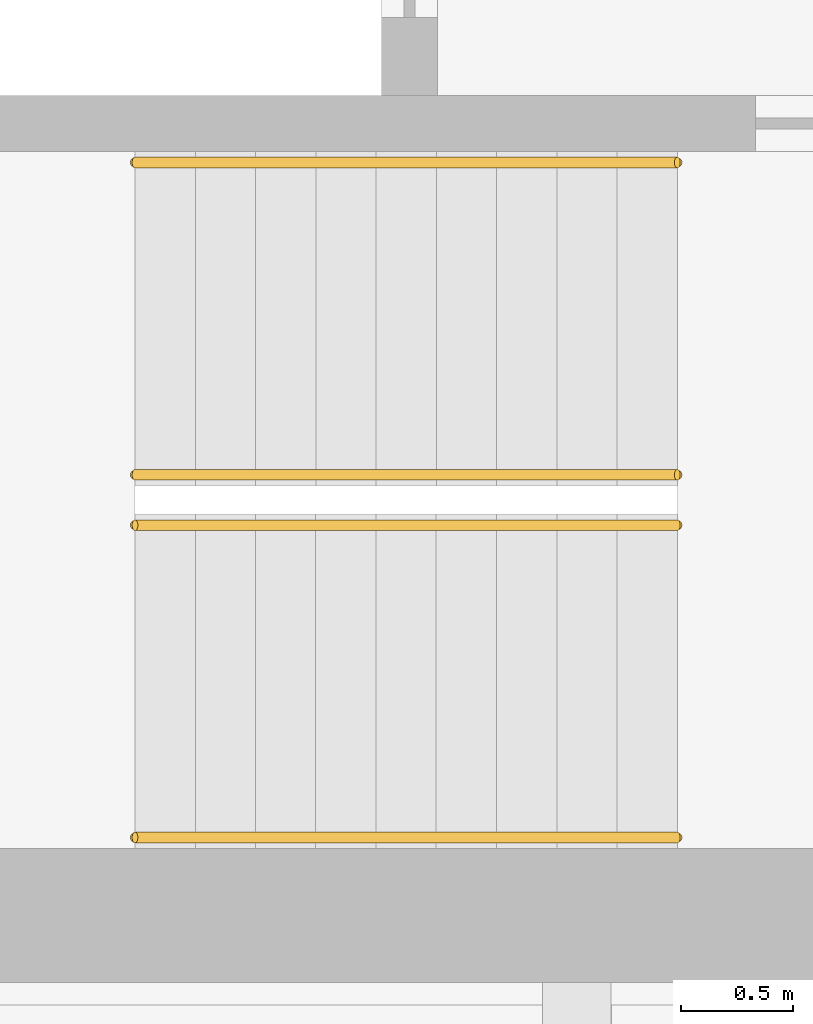
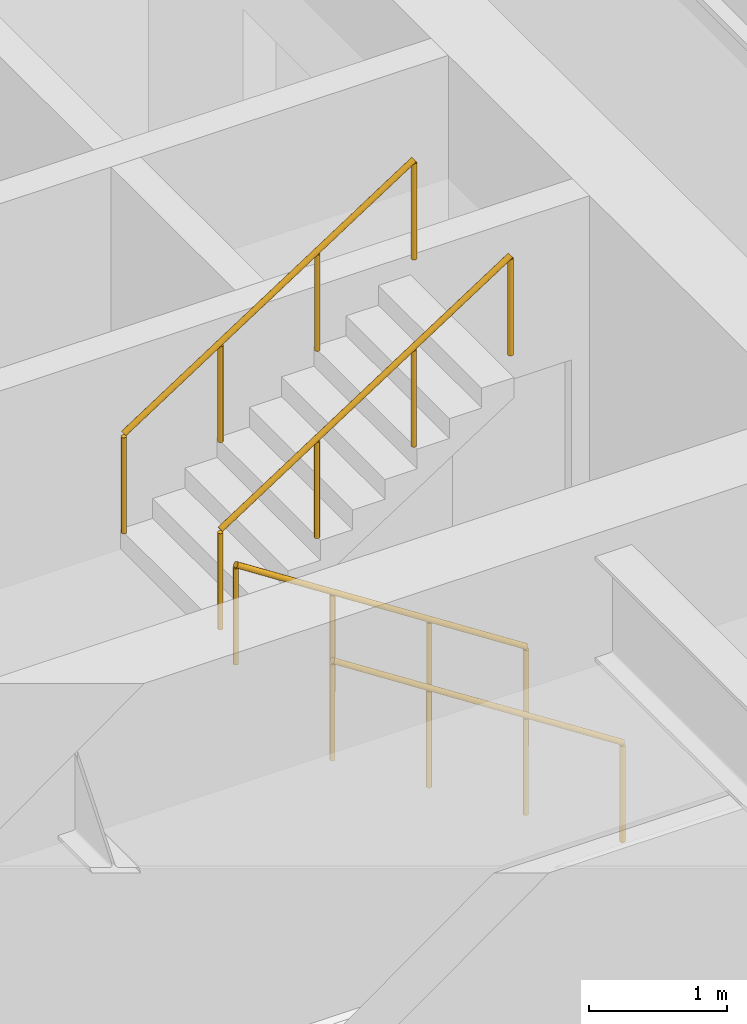
# One storey, part 17 of 21: 4 railings.
"""IFC4 building model written with IfcOpenShell, lengths in metres."""

from ifc_helpers import new_model, si_unit, direction, frame, origin, origin_2d, place, context, subcontext, project, spatial, circle, extrude, material, type_object, element, save


model = new_model("IFC4")

# Units and contexts
model_context = context("Model", 3, precision=1e-05, world=origin(), true_north=direction((0.0, 1.0)))
body_context = subcontext(model_context, "Body", "Model", "MODEL_VIEW")
ifc_project = project(units=[si_unit("LENGTHUNIT", "METRE"), si_unit("AREAUNIT", "SQUARE_METRE"), si_unit("VOLUMEUNIT", "CUBIC_METRE"), si_unit("PLANEANGLEUNIT", "RADIAN"), si_unit("MASSUNIT", "GRAM", prefix="KILO")], contexts=[model_context])

# Site, building, storey
site_placement = place(None, origin())
site = spatial("IfcSite", under=ifc_project, at=site_placement, CompositionType="ELEMENT")
building_placement = place(site_placement, origin())
building = spatial("IfcBuilding", under=site, at=building_placement, Name="Msasa Ring Tower", CompositionType="ELEMENT")
storey_placement = place(building_placement, frame((0.0, 0.0, 54.5)))
storey = spatial("IfcBuildingStorey", under=building, at=storey_placement, Name="L13", CompositionType="ELEMENT", Elevation=54.5)

# Railings
ifc_material = material(Name="Stainless steel", Category="steel")
railing_type = type_object("IfcRailingType", Name="HR1 HANDRAIL 900", PredefinedType="HANDRAIL", material=ifc_material)
for number, where, name in (
    (1, (-10.800048828125, -6.39990234375, 0.175048828125), "Handrail stair SWA L13 1"),
    (2, (-10.800048828125, -5.0, 0.175048828125), "Handrail stair SWA L13 2"),
):
    element("IfcRailing", number, at=place(storey_placement, frame(where)), inside=storey, type_object=railing_type, Name=name, PredefinedType="HANDRAIL", context=body_context, shape_type="SweptSolid", body=[
        extrude(circle(Radius=0.02392578125, at=origin_2d()), frame((0.0, 0.0, 0.8759765625), z_axis=(-0.839153699163, 0.0, 0.543894354798), x_axis=(0.0, -1.0, 0.0)), (0.0, 0.0, 1.0), 2.895751953125),
        extrude(circle(Radius=0.02099609375, at=origin_2d()), origin(), (0.0, 0.0, 1.0), 0.851806640625),
        extrude(circle(Radius=0.02099609375, at=origin_2d()), frame((-0.81005859375, 0.0, 0.52490234375)), (0.0, 0.0, 1.0), 0.851806640625),
        extrude(circle(Radius=0.02099609375, at=origin_2d()), frame((-1.619873046875, 0.0, 1.050048828125)), (0.0, 0.0, 1.0), 0.851806640625),
        extrude(circle(Radius=0.02099609375, at=origin_2d()), frame((-2.429931640625, 0.0, 1.574951171875)), (0.0, 0.0, 1.0), 0.851806640625),
    ])
for number, where, name in (
    (3, (-13.22998046875, -4.77490234375, 1.925048828125), "Handrail stair SWA L13 3"),
    (4, (-13.22998046875, -3.375, 1.925048828125), "Handrail stair SWA L13 4"),
):
    element("IfcRailing", number, at=place(storey_placement, frame(where)), inside=storey, type_object=railing_type, Name=name, PredefinedType="HANDRAIL", context=body_context, shape_type="SweptSolid", body=[
        extrude(circle(Radius=0.02392578125, at=origin_2d()), frame((0.0, 0.0, 0.8759765625), z_axis=(0.839153699163, 0.0, 0.543894354798), x_axis=(0.0, 1.0, 0.0)), (0.0, 0.0, 1.0), 2.895751953125),
        extrude(circle(Radius=0.02099609375, at=origin_2d()), origin(), (0.0, 0.0, 1.0), 0.851806640625),
        extrude(circle(Radius=0.02099609375, at=origin_2d()), frame((0.81005859375, 0.0, 0.52490234375)), (0.0, 0.0, 1.0), 0.851806640625),
        extrude(circle(Radius=0.02099609375, at=origin_2d()), frame((1.619873046875, 0.0, 1.050048828125)), (0.0, 0.0, 1.0), 0.851806640625),
        extrude(circle(Radius=0.02099609375, at=origin_2d()), frame((2.429931640625, 0.0, 1.574951171875)), (0.0, 0.0, 1.0), 0.851806640625),
    ])

save(model, "model.ifc")
